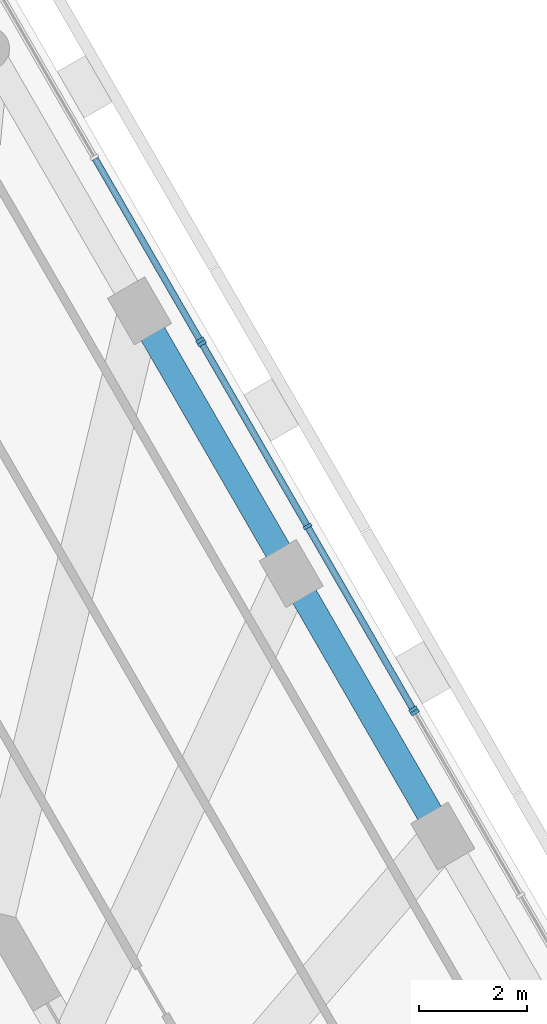
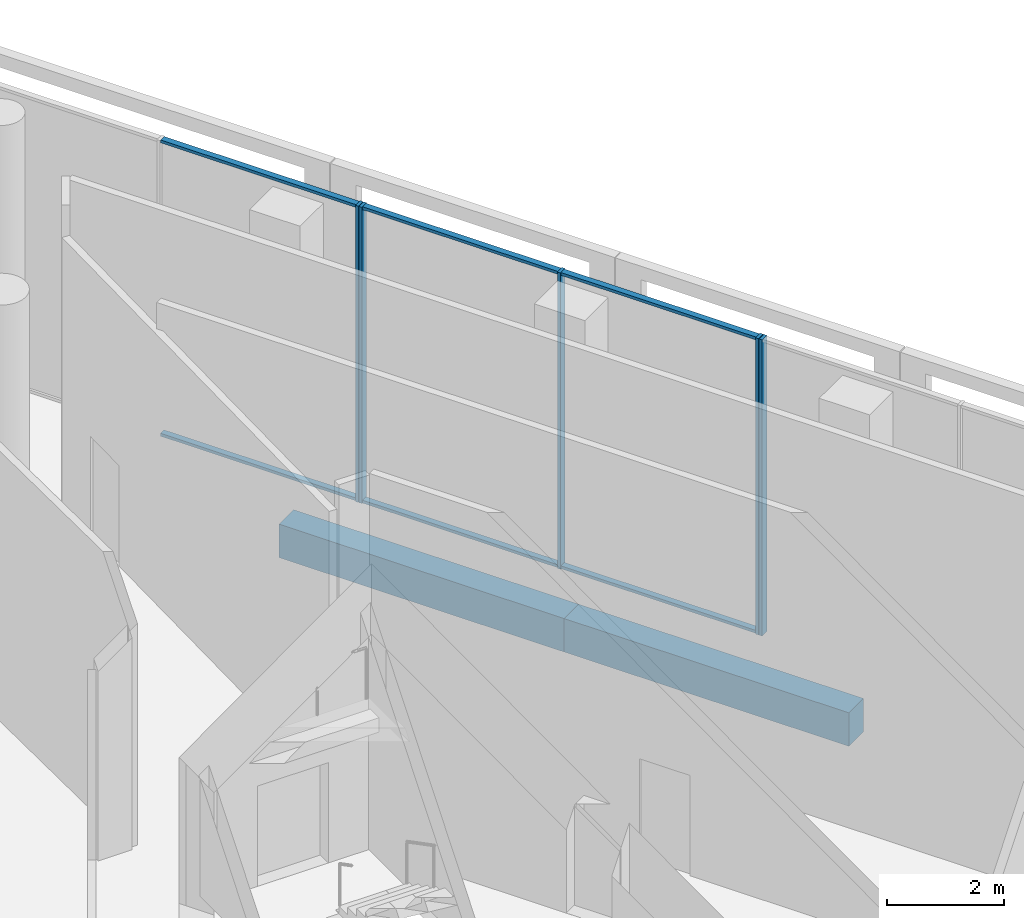
# One storey, part 8 of 16: 11 members, 2 beams, 3 elements without a shape of their own.
"""IFC4 building model written with IfcOpenShell, lengths in metres."""

from ifc_helpers import new_model, si_unit, direction, frame, origin, origin_2d, place, context, subcontext, project, spatial, rectangle, extrude, material, layer, layer_set, material_profile, profile_set, type_object, element, aggregate, save


model = new_model("IFC4")

# Units and contexts
model_context = context("Model", 3, precision=1e-05, world=origin(), true_north=direction((0.0, 1.0)))
body_context = subcontext(model_context, "Body", "Model", "MODEL_VIEW")
ifc_project = project(units=[si_unit("LENGTHUNIT", "METRE"), si_unit("AREAUNIT", "SQUARE_METRE"), si_unit("VOLUMEUNIT", "CUBIC_METRE"), si_unit("PLANEANGLEUNIT", "RADIAN"), si_unit("MASSUNIT", "GRAM", prefix="KILO")], contexts=[model_context])

# Site, building, storey
site_placement = place(None, origin())
site = spatial("IfcSite", under=ifc_project, at=site_placement, CompositionType="ELEMENT")
building_placement = place(site_placement, origin())
building = spatial("IfcBuilding", under=site, at=building_placement, Name="Triada Interchange Tower", CompositionType="ELEMENT")
storey_placement = place(building_placement, frame((0.0, 0.0, 261.800048828125)))
storey = spatial("IfcBuildingStorey", under=building, at=storey_placement, Name="L61", CompositionType="ELEMENT", Elevation=261.800048828125)

# Curtain wall, member
ifc_material_1 = material(Name="Aluminium framed glazing", Category="aluminium")
ifc_layer = layer(ifc_material_1, 0.199951171875)
ifc_layer_set = layer_set([ifc_layer], Name="Curtain wall Sky lobby glazing")
curtain_wall_type = type_object("IfcCurtainWallType", Name="Curtain wall Sky lobby glazing", PredefinedType="NOTDEFINED", material=ifc_layer_set)
curtain_wall_1_placement = place(storey_placement, origin())
curtain_wall_1 = element("IfcCurtainWall", 1, at=curtain_wall_1_placement, inside=storey, type_object=curtain_wall_type, Name="Sky lobby glazing CW220 L61", PredefinedType="NOTDEFINED")
ifc_material_2 = material(Name="Aluminium", Category="aluminium")
ifc_material_profile_1 = material_profile(ifc_material_2, rectangle(XDim=0.159912109375, YDim=0.06005859375, at=origin_2d()), Name="Aluminium mullion")
ifc_profile_set_1 = profile_set([ifc_material_profile_1], Name="Aluminium")
member_type_1 = type_object("IfcMemberType", Name="Mullion Sky lobby glazing 160x60", PredefinedType="MULLION", material=ifc_profile_set_1)
member_1_placement = place(storey_placement, frame((10.5849609375, 15.218017578125, 0.0), z_axis=(0.0, 0.0, 1.0), x_axis=(-0.866025625136, -0.499999616608, 0.0)))
member_1 = element("IfcMember", 2, at=member_1_placement, type_object=member_type_1, Name="CW220 mullion 3", PredefinedType="MULLION", context=body_context, shape_type="SweptSolid", body=[
    extrude(rectangle(XDim=0.159912109375, YDim=0.06005859375, at=origin_2d()), origin(), (0.0, 0.0, 1.0), 6.199951171875),
])
aggregate(curtain_wall_1, [member_1])

# Curtain wall, members
curtain_wall_2_placement = place(storey_placement, origin())
curtain_wall_2 = element("IfcCurtainWall", 3, at=curtain_wall_2_placement, inside=storey, type_object=curtain_wall_type, Name="Sky lobby glazing CW221 L61", PredefinedType="NOTDEFINED")
member_2_placement = place(storey_placement, frame((10.550048828125, 15.278076171875, 0.0), z_axis=(0.0, 0.0, 1.0), x_axis=(-0.866080351938, -0.499904814926, 0.0)))
member_2 = element("IfcMember", 4, at=member_2_placement, type_object=member_type_1, Name="CW221 mullion 1", PredefinedType="MULLION", context=body_context, shape_type="SweptSolid", body=[
    extrude(rectangle(XDim=0.159912109375, YDim=0.06005859375, at=origin_2d()), origin(), (0.0, 0.0, 1.0), 6.199951171875),
])
member_3_placement = place(storey_placement, frame((8.58740234375, 18.677978515625, 0.0), z_axis=(0.0, 0.0, 1.0), x_axis=(-0.866080351938, -0.499904814926, 0.0)))
member_3 = element("IfcMember", 5, at=member_3_placement, type_object=member_type_1, Name="CW221 mullion 2", PredefinedType="MULLION", context=body_context, shape_type="SweptSolid", body=[
    extrude(rectangle(XDim=0.159912109375, YDim=0.06005859375, at=origin_2d()), origin(), (0.0, 0.0, 1.0), 6.199951171875),
])
member_4_placement = place(storey_placement, frame((6.625, 22.078125, 0.0), z_axis=(0.0, 0.0, 1.0), x_axis=(-0.866080351938, -0.499904814926, 0.0)))
member_4 = element("IfcMember", 6, at=member_4_placement, type_object=member_type_1, Name="CW221 mullion 3", PredefinedType="MULLION", context=body_context, shape_type="SweptSolid", body=[
    extrude(rectangle(XDim=0.159912109375, YDim=0.06005859375, at=origin_2d()), origin(), (0.0, 0.0, 1.0), 6.199951171875),
])

# Curtain wall, member
curtain_wall_3_placement = place(storey_placement, origin())
curtain_wall_3 = element("IfcCurtainWall", 7, at=curtain_wall_3_placement, inside=storey, type_object=curtain_wall_type, Name="Sky lobby glazing CW222 L61", PredefinedType="NOTDEFINED")
member_5_placement = place(storey_placement, frame((6.590087890625, 22.137939453125, 0.0), z_axis=(0.0, 0.0, 1.0), x_axis=(-0.865987850767, -0.500065038095, 0.0)))
member_5 = element("IfcMember", 8, at=member_5_placement, type_object=member_type_1, Name="CW222 mullion 1", PredefinedType="MULLION", context=body_context, shape_type="SweptSolid", body=[
    extrude(rectangle(XDim=0.159912109375, YDim=0.06005859375, at=origin_2d()), origin(), (0.0, 0.0, 1.0), 6.199951171875),
])

# Beams
ifc_material_3 = material(Name="Concrete C50/60", Category="concrete")
ifc_material_profile_2 = material_profile(ifc_material_3, rectangle(XDim=0.5, YDim=0.699951171875, at=origin_2d()), Name="RC 500x700")
ifc_profile_set_2 = profile_set([ifc_material_profile_2], Name="Concrete C50/60")
beam_type = type_object("IfcBeamType", Name="Spandrel beam D RC 500x700", PredefinedType="BEAM", material=ifc_profile_set_2)
beam_1_placement = place(storey_placement, frame((11.10302734375, 12.919921875, -0.650146484375), z_axis=(-0.499981075744, 0.866036329433, 0.0), x_axis=(-0.866036329433, -0.499981075744, 0.0)))
element("IfcBeam", 9, at=beam_1_placement, inside=storey, type_object=beam_type, Name="Spandrel beam ED26 L61", PredefinedType="BEAM", context=body_context, shape_type="SweptSolid", body=[
    extrude(rectangle(XDim=0.5, YDim=0.699951171875, at=origin_2d()), origin(), (0.0, 0.0, 1.0), 5.638427734375),
])
beam_2_placement = place(storey_placement, frame((8.283935546875, 17.802978515625, -0.650146484375), z_axis=(-0.499948599132, 0.866055078056, 0.0), x_axis=(-0.866055078056, -0.499948599132, 0.0)))
element("IfcBeam", 10, at=beam_2_placement, inside=storey, type_object=beam_type, Name="Spandrel beam ED27 L61", PredefinedType="BEAM", context=body_context, shape_type="SweptSolid", body=[
    extrude(rectangle(XDim=0.5, YDim=0.699951171875, at=origin_2d()), origin(), (0.0, 0.0, 1.0), 5.63818359375),
])

# Member
ifc_material_profile_3 = material_profile(ifc_material_2, rectangle(XDim=0.1201171875, YDim=0.06005859375, at=origin_2d()), Name="Aluminium transom")
ifc_profile_set_3 = profile_set([ifc_material_profile_3], Name="Aluminium")
member_type_2 = type_object("IfcMemberType", Name="Transom Sky lobby glazing 120x60", PredefinedType="USERDEFINED", material=ifc_profile_set_3)
member_6_placement = place(storey_placement, frame((10.534912109375, 15.303955078125, 0.030029296875), z_axis=(-0.499868241592, 0.866101461174, 0.0), x_axis=(-0.866101461174, -0.499868241592, 0.0)))
member_6 = element("IfcMember", 11, at=member_6_placement, type_object=member_type_2, Name="CW221 transom 1.1", ObjectType="TRANSOM", PredefinedType="USERDEFINED", context=body_context, shape_type="SweptSolid", body=[
    extrude(rectangle(XDim=0.1201171875, YDim=0.06005859375, at=origin_2d()), origin(), (0.0, 0.0, 1.0), 3.86572265625),
])

member_7_placement = place(storey_placement, frame((10.534912109375, 15.303955078125, 6.169921875), z_axis=(-0.499868241592, 0.866101461174, 0.0), x_axis=(-0.866101461174, -0.499868241592, 0.0)))
member_7 = element("IfcMember", 12, at=member_7_placement, type_object=member_type_2, Name="CW221 transom 1.2", ObjectType="TRANSOM", PredefinedType="USERDEFINED", context=body_context, shape_type="SweptSolid", body=[
    extrude(rectangle(XDim=0.1201171875, YDim=0.06005859375, at=origin_2d()), origin(), (0.0, 0.0, 1.0), 3.86572265625),
])

member_8_placement = place(storey_placement, frame((8.572509765625, 18.7041015625, 0.030029296875), z_axis=(-0.499942957606, 0.866058334721, 0.0), x_axis=(-0.866058334721, -0.499942957606, 0.0)))
member_8 = element("IfcMember", 13, at=member_8_placement, type_object=member_type_2, Name="CW221 transom 2.1", ObjectType="TRANSOM", PredefinedType="USERDEFINED", context=body_context, shape_type="SweptSolid", body=[
    extrude(rectangle(XDim=0.1201171875, YDim=0.06005859375, at=origin_2d()), origin(), (0.0, 0.0, 1.0), 3.86572265625),
])

member_9_placement = place(storey_placement, frame((8.572509765625, 18.7041015625, 6.169921875), z_axis=(-0.499942957606, 0.866058334721, 0.0), x_axis=(-0.866058334721, -0.499942957606, 0.0)))
member_9 = element("IfcMember", 14, at=member_9_placement, type_object=member_type_2, Name="CW221 transom 2.2", ObjectType="TRANSOM", PredefinedType="USERDEFINED", context=body_context, shape_type="SweptSolid", body=[
    extrude(rectangle(XDim=0.1201171875, YDim=0.06005859375, at=origin_2d()), origin(), (0.0, 0.0, 1.0), 3.86572265625),
])

aggregate(curtain_wall_2, [member_2, member_3, member_4, member_6, member_7, member_8, member_9])

member_10_placement = place(storey_placement, frame((6.574951171875, 22.1640625, 0.030029296875), z_axis=(-0.500103041249, 0.865965904718, 0.0), x_axis=(-0.865965904718, -0.500103041249, 0.0)))
member_10 = element("IfcMember", 15, at=member_10_placement, type_object=member_type_2, Name="CW222 transom 1.1", ObjectType="TRANSOM", PredefinedType="USERDEFINED", context=body_context, shape_type="SweptSolid", body=[
    extrude(rectangle(XDim=0.1201171875, YDim=0.06005859375, at=origin_2d()), origin(), (0.0, 0.0, 1.0), 3.868408203125),
])

member_11_placement = place(storey_placement, frame((6.574951171875, 22.1640625, 6.169921875), z_axis=(-0.500103041249, 0.865965904718, 0.0), x_axis=(-0.865965904718, -0.500103041249, 0.0)))
member_11 = element("IfcMember", 16, at=member_11_placement, type_object=member_type_2, Name="CW222 transom 1.2", ObjectType="TRANSOM", PredefinedType="USERDEFINED", context=body_context, shape_type="SweptSolid", body=[
    extrude(rectangle(XDim=0.1201171875, YDim=0.06005859375, at=origin_2d()), origin(), (0.0, 0.0, 1.0), 3.868408203125),
])

aggregate(curtain_wall_3, [member_5, member_10, member_11])

save(model, "model.ifc")
